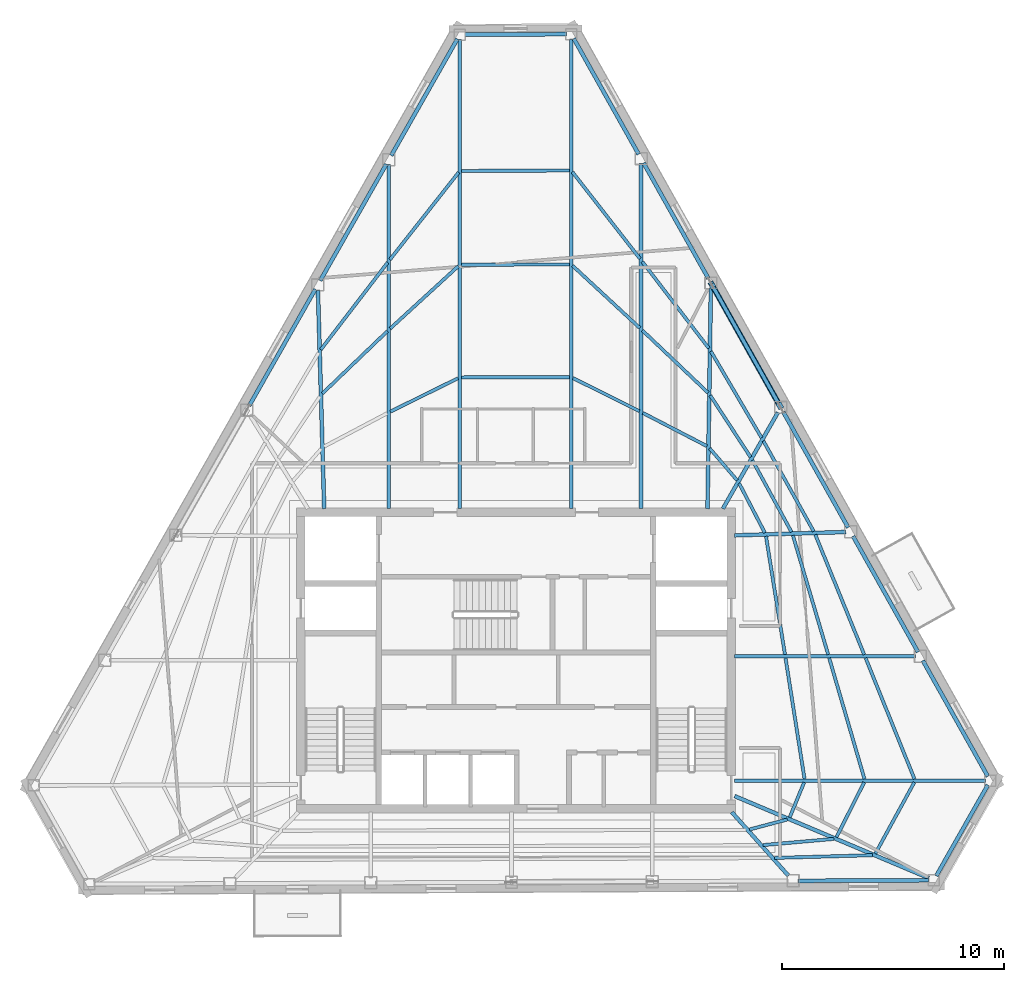
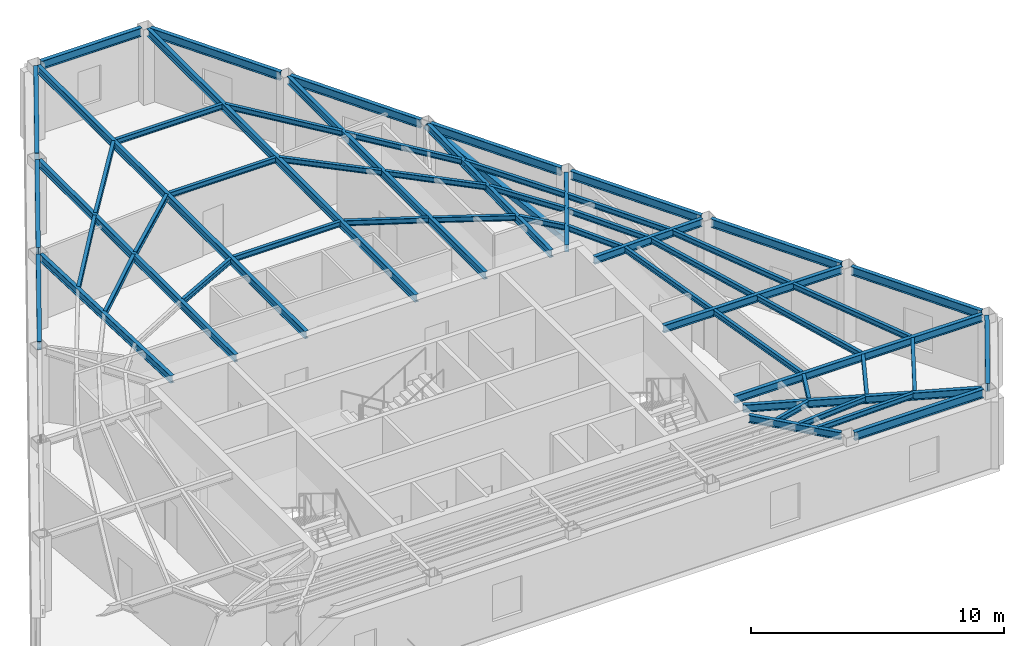
# One storey, part 2 of 9: 56 beams, 1 member.
"""IFC4 building model written with IfcOpenShell, lengths in metres."""

from ifc_helpers import new_model, si_unit, direction, frame, origin, origin_2d, place, context, subcontext, project, spatial, hollow_rectangle, i_section, extrude, material, material_profile, profile_set, type_object, element, save


model = new_model("IFC4")

# Units and contexts
model_context = context("Model", 3, precision=1e-05, world=origin(), true_north=direction((0.0, 1.0)))
body_context = subcontext(model_context, "Body", "Model", "MODEL_VIEW")
ifc_project = project(units=[si_unit("LENGTHUNIT", "METRE"), si_unit("AREAUNIT", "SQUARE_METRE"), si_unit("VOLUMEUNIT", "CUBIC_METRE"), si_unit("PLANEANGLEUNIT", "RADIAN"), si_unit("MASSUNIT", "GRAM", prefix="KILO")], contexts=[model_context])

# Site, building, storey
site_placement = place(None, origin())
site = spatial("IfcSite", under=ifc_project, at=site_placement, CompositionType="ELEMENT")
building_placement = place(site_placement, origin())
building = spatial("IfcBuilding", under=site, at=building_placement, Name="Kavelnor Concourse Tower", CompositionType="ELEMENT")
storey_placement = place(building_placement, frame((0.0, 0.0, 301.10009765625)))
storey = spatial("IfcBuildingStorey", under=building, at=storey_placement, Name="L76", CompositionType="ELEMENT", Elevation=301.10009765625)

# Beams
ifc_material = material(Name="Steel Grade 350", Category="steel")
ifc_material_profile_1 = material_profile(ifc_material, i_section(OverallWidth=0.14599609375, OverallDepth=0.256103515625, WebThickness=0.00634765625, FlangeThickness=0.010986328125, at=origin_2d()), Name="250UB37")
ifc_profile_set_1 = profile_set([ifc_material_profile_1], Name="Steel Grade 350")
beam_type_1 = type_object("IfcBeamType", Name="BM-JOIST-250", PredefinedType="JOIST", material=ifc_profile_set_1)
beam_1_placement = place(storey_placement, frame((48.530029296875, 8.46728515625, 3.5068359375), z_axis=(0.966888041045, 0.255200932766, 0.0), x_axis=(-0.255200932766, 0.966888041045, 0.0)))
element("IfcBeam", 1, at=beam_1_placement, inside=storey, type_object=beam_type_1, Name="L76 Secondary Composite Joist 07-1", PredefinedType="JOIST", context=body_context, shape_type="SweptSolid", body=[
    extrude(i_section(OverallWidth=0.14599609375, OverallDepth=0.256103515625, WebThickness=0.00634765625, FlangeThickness=0.010986328125, at=origin_2d()), origin(), (0.0, 0.0, 1.0), 1.76611328125),
])
beam_2_placement = place(storey_placement, frame((49.146484375, 7.7646484375, 3.5068359375), z_axis=(0.99620677414, 0.087017602575, 0.0), x_axis=(-0.087017602575, 0.99620677414, 0.0)))
element("IfcBeam", 2, at=beam_2_placement, inside=storey, type_object=beam_type_1, Name="L76 Secondary Composite Joist 07-2", PredefinedType="JOIST", context=body_context, shape_type="SweptSolid", body=[
    extrude(i_section(OverallWidth=0.14599609375, OverallDepth=0.256103515625, WebThickness=0.00634765625, FlangeThickness=0.010986328125, at=origin_2d()), origin(), (0.0, 0.0, 1.0), 3.2041015625),
])
beam_3_placement = place(storey_placement, frame((49.658447265625, 7.185791015625, 3.5068359375), z_axis=(0.999619455901, 0.027585202281, 0.0), x_axis=(-0.027585202281, 0.999619455901, 0.0)))
element("IfcBeam", 3, at=beam_3_placement, inside=storey, type_object=beam_type_1, Name="L76 Secondary Composite Joist 07-3", PredefinedType="JOIST", context=body_context, shape_type="SweptSolid", body=[
    extrude(i_section(OverallWidth=0.14599609375, OverallDepth=0.256103515625, WebThickness=0.00634765625, FlangeThickness=0.010986328125, at=origin_2d()), origin(), (0.0, 0.0, 1.0), 4.43408203125),
])
beam_4_placement = place(storey_placement, frame((50.34814453125, 9.0146484375, 3.5068359375), z_axis=(0.380649039467, 0.924719583848, 0.0), x_axis=(-0.924719583848, 0.380649039467, 0.0)))
element("IfcBeam", 4, at=beam_4_placement, inside=storey, type_object=beam_type_1, Name="L76 Secondary Composite Joist 08-1", PredefinedType="JOIST", context=body_context, shape_type="SweptSolid", body=[
    extrude(i_section(OverallWidth=0.14599609375, OverallDepth=0.256103515625, WebThickness=0.00634765625, FlangeThickness=0.010986328125, at=origin_2d()), origin(), (0.0, 0.0, 1.0), 1.7060546875),
])
beam_5_placement = place(storey_placement, frame((52.45703125, 8.123779296875, 3.5068359375), z_axis=(0.451580375632, 0.89223044352, 0.0), x_axis=(-0.89223044352, 0.451580375632, 0.0)))
element("IfcBeam", 5, at=beam_5_placement, inside=storey, type_object=beam_type_1, Name="L76 Secondary Composite Joist 08-2", PredefinedType="JOIST", context=body_context, shape_type="SweptSolid", body=[
    extrude(i_section(OverallWidth=0.14599609375, OverallDepth=0.256103515625, WebThickness=0.00634765625, FlangeThickness=0.010986328125, at=origin_2d()), origin(), (0.0, 0.0, 1.0), 2.769775390625),
])
beam_6_placement = place(storey_placement, frame((54.212158203125, 7.38232421875, 3.5068359375), z_axis=(0.479603873578, 0.87748511352, 0.0), x_axis=(-0.87748511352, 0.479603873578, 0.0)))
element("IfcBeam", 6, at=beam_6_placement, inside=storey, type_object=beam_type_1, Name="L76 Secondary Composite Joist 08-3", PredefinedType="JOIST", context=body_context, shape_type="SweptSolid", body=[
    extrude(i_section(OverallWidth=0.14599609375, OverallDepth=0.256103515625, WebThickness=0.00634765625, FlangeThickness=0.010986328125, at=origin_2d()), origin(), (0.0, 0.0, 1.0), 3.66259765625),
])
beam_7_placement = place(storey_placement, frame((51.01611328125, 10.7490234375, 3.5068359375), z_axis=(-0.155267436009, 0.987872473205, 0.0), x_axis=(-0.987872473205, -0.155267436009, 0.0)))
element("IfcBeam", 7, at=beam_7_placement, inside=storey, type_object=beam_type_1, Name="L76 Secondary Composite Joist 09-1", PredefinedType="JOIST", context=body_context, shape_type="SweptSolid", body=[
    extrude(i_section(OverallWidth=0.14599609375, OverallDepth=0.256103515625, WebThickness=0.00634765625, FlangeThickness=0.010986328125, at=origin_2d()), origin(), (0.0, 0.0, 1.0), 5.51904296875),
])
beam_8_placement = place(storey_placement, frame((53.7216796875, 10.746826171875, 3.5068359375), z_axis=(-0.280156674417, 0.959954289422, 0.0), x_axis=(-0.959954289422, -0.280156674417, 0.0)))
element("IfcBeam", 8, at=beam_8_placement, inside=storey, type_object=beam_type_1, Name="L76 Secondary Composite Joist 09-2", PredefinedType="JOIST", context=body_context, shape_type="SweptSolid", body=[
    extrude(i_section(OverallWidth=0.14599609375, OverallDepth=0.256103515625, WebThickness=0.00634765625, FlangeThickness=0.010986328125, at=origin_2d()), origin(), (0.0, 0.0, 1.0), 5.684326171875),
])
beam_9_placement = place(storey_placement, frame((55.977294921875, 10.744140625, 3.5068359375), z_axis=(-0.374632288588, 0.927173472629, 0.0), x_axis=(-0.927173472629, -0.374632288588, 0.0)))
element("IfcBeam", 9, at=beam_9_placement, inside=storey, type_object=beam_type_1, Name="L76 Secondary Composite Joist 09-3", PredefinedType="JOIST", context=body_context, shape_type="SweptSolid", body=[
    extrude(i_section(OverallWidth=0.14599609375, OverallDepth=0.256103515625, WebThickness=0.00634765625, FlangeThickness=0.010986328125, at=origin_2d()), origin(), (0.0, 0.0, 1.0), 5.89111328125),
])
beam_10_placement = place(storey_placement, frame((50.133544921875, 16.36328125, 3.5068359375), z_axis=(-0.158476773918, 0.987362705458, 0.0), x_axis=(-0.987362705458, -0.158476773918, 0.0)))
element("IfcBeam", 10, at=beam_10_placement, inside=storey, type_object=beam_type_1, Name="L76 Secondary Composite Joist 10-1", PredefinedType="JOIST", context=body_context, shape_type="SweptSolid", body=[
    extrude(i_section(OverallWidth=0.14599609375, OverallDepth=0.256103515625, WebThickness=0.00634765625, FlangeThickness=0.010986328125, at=origin_2d()), origin(), (0.0, 0.0, 1.0), 5.404296875),
])
beam_11_placement = place(storey_placement, frame((52.0830078125, 16.36083984375, 3.5068359375), z_axis=(-0.283851154345, 0.958868354977, 0.0), x_axis=(-0.958868354977, -0.283851154345, 0.0)))
element("IfcBeam", 11, at=beam_11_placement, inside=storey, type_object=beam_type_1, Name="L76 Secondary Composite Joist 10-2", PredefinedType="JOIST", context=body_context, shape_type="SweptSolid", body=[
    extrude(i_section(OverallWidth=0.14599609375, OverallDepth=0.256103515625, WebThickness=0.00634765625, FlangeThickness=0.010986328125, at=origin_2d()), origin(), (0.0, 0.0, 1.0), 5.60791015625),
])
beam_12_placement = place(storey_placement, frame((53.70849609375, 16.358154296875, 3.5068359375), z_axis=(-0.377525066955, 0.925999364914, 0.0), x_axis=(-0.925999364914, -0.377525066955, 0.0)))
element("IfcBeam", 12, at=beam_12_placement, inside=storey, type_object=beam_type_1, Name="L76 Secondary Composite Joist 10-3", PredefinedType="JOIST", context=body_context, shape_type="SweptSolid", body=[
    extrude(i_section(OverallWidth=0.14599609375, OverallDepth=0.256103515625, WebThickness=0.00634765625, FlangeThickness=0.010986328125, at=origin_2d()), origin(), (0.0, 0.0, 1.0), 5.845458984375),
])
beam_13_placement = place(storey_placement, frame((49.226318359375, 21.852783203125, 3.5068359375), z_axis=(-0.460965041793, 0.887418294968, 0.0), x_axis=(-0.887418294968, -0.460965041793, 0.0)))
element("IfcBeam", 13, at=beam_13_placement, inside=storey, type_object=beam_type_1, Name="L76 Secondary Composite Joist 11-1", PredefinedType="JOIST", context=body_context, shape_type="SweptSolid", body=[
    extrude(i_section(OverallWidth=0.14599609375, OverallDepth=0.256103515625, WebThickness=0.00634765625, FlangeThickness=0.010986328125, at=origin_2d()), origin(), (0.0, 0.0, 1.0), 2.518310546875),
])
beam_14_placement = place(storey_placement, frame((50.4287109375, 21.888671875, 3.5068359375), z_axis=(-0.478472084606, 0.878102764062, 0.0), x_axis=(-0.878102764062, -0.478472084606, 0.0)))
element("IfcBeam", 14, at=beam_14_placement, inside=storey, type_object=beam_type_1, Name="L76 Secondary Composite Joist 11-2", PredefinedType="JOIST", context=body_context, shape_type="SweptSolid", body=[
    extrude(i_section(OverallWidth=0.14599609375, OverallDepth=0.256103515625, WebThickness=0.00634765625, FlangeThickness=0.010986328125, at=origin_2d()), origin(), (0.0, 0.0, 1.0), 3.691162109375),
])
beam_15_placement = place(storey_placement, frame((51.430908203125, 21.918701171875, 3.5068359375), z_axis=(-0.486388606966, 0.873742595399, 0.0), x_axis=(-0.873742595399, -0.486388606966, 0.0)))
element("IfcBeam", 15, at=beam_15_placement, inside=storey, type_object=beam_type_1, Name="L76 Secondary Composite Joist 11-3", PredefinedType="JOIST", context=body_context, shape_type="SweptSolid", body=[
    extrude(i_section(OverallWidth=0.14599609375, OverallDepth=0.256103515625, WebThickness=0.00634765625, FlangeThickness=0.010986328125, at=origin_2d()), origin(), (0.0, 0.0, 1.0), 4.669189453125),
])
beam_16_placement = place(storey_placement, frame((47.97412109375, 24.22265625, 3.5068359375), z_axis=(-0.651055349882, 0.759030257229, 0.0), x_axis=(-0.759030257229, -0.651055349882, 0.0)))
element("IfcBeam", 16, at=beam_16_placement, inside=storey, type_object=beam_type_1, Name="L76 Secondary Composite Joist 12-1", PredefinedType="JOIST", context=body_context, shape_type="SweptSolid", body=[
    extrude(i_section(OverallWidth=0.14599609375, OverallDepth=0.256103515625, WebThickness=0.00634765625, FlangeThickness=0.010986328125, at=origin_2d()), origin(), (0.0, 0.0, 1.0), 1.90380859375),
])
beam_17_placement = place(storey_placement, frame((48.57861328125, 25.270751953125, 3.5068359375), z_axis=(-0.546671160217, 0.837347384654, 0.0), x_axis=(-0.837347384654, -0.546671160217, 0.0)))
element("IfcBeam", 17, at=beam_17_placement, inside=storey, type_object=beam_type_1, Name="L76 Secondary Composite Joist 12-2", PredefinedType="JOIST", context=body_context, shape_type="SweptSolid", body=[
    extrude(i_section(OverallWidth=0.14599609375, OverallDepth=0.256103515625, WebThickness=0.00634765625, FlangeThickness=0.010986328125, at=origin_2d()), origin(), (0.0, 0.0, 1.0), 3.32275390625),
])
beam_18_placement = place(storey_placement, frame((49.07861328125, 26.140625, 3.5068359375), z_axis=(-0.505932724488, 0.862572940853, 0.0), x_axis=(-0.862572940853, -0.505932724488, 0.0)))
element("IfcBeam", 18, at=beam_18_placement, inside=storey, type_object=beam_type_1, Name="L76 Secondary Composite Joist 12-3", PredefinedType="JOIST", context=body_context, shape_type="SweptSolid", body=[
    extrude(i_section(OverallWidth=0.14599609375, OverallDepth=0.256103515625, WebThickness=0.00634765625, FlangeThickness=0.010986328125, at=origin_2d()), origin(), (0.0, 0.0, 1.0), 4.52490234375),
])
beam_19_placement = place(storey_placement, frame((46.6083984375, 25.767578125, 3.5068359375), z_axis=(-0.888165959512, 0.459522826816, 0.0), x_axis=(-0.459522826816, -0.888165959512, 0.0)))
element("IfcBeam", 19, at=beam_19_placement, inside=storey, type_object=beam_type_1, Name="L76 Secondary Composite Joist 13-1", PredefinedType="JOIST", context=body_context, shape_type="SweptSolid", body=[
    extrude(i_section(OverallWidth=0.14599609375, OverallDepth=0.256103515625, WebThickness=0.00634765625, FlangeThickness=0.010986328125, at=origin_2d()), origin(), (0.0, 0.0, 1.0), 3.25732421875),
])
beam_20_placement = place(storey_placement, frame((46.657958984375, 28.177978515625, 3.5068359375), z_axis=(-0.725226701684, 0.688510153276, 0.0), x_axis=(-0.688510153276, -0.725226701684, 0.0)))
element("IfcBeam", 20, at=beam_20_placement, inside=storey, type_object=beam_type_1, Name="L76 Secondary Composite Joist 13-2", PredefinedType="JOIST", context=body_context, shape_type="SweptSolid", body=[
    extrude(i_section(OverallWidth=0.14599609375, OverallDepth=0.256103515625, WebThickness=0.00634765625, FlangeThickness=0.010986328125, at=origin_2d()), origin(), (0.0, 0.0, 1.0), 4.075927734375),
])
beam_21_placement = place(storey_placement, frame((46.69775390625, 30.179443359375, 3.5068359375), z_axis=(-0.609208390475, 0.793010174572, 0.0), x_axis=(-0.793010174572, -0.609208390475, 0.0)))
element("IfcBeam", 21, at=beam_21_placement, inside=storey, type_object=beam_type_1, Name="L76 Secondary Composite Joist 13-3", PredefinedType="JOIST", context=body_context, shape_type="SweptSolid", body=[
    extrude(i_section(OverallWidth=0.14599609375, OverallDepth=0.256103515625, WebThickness=0.00634765625, FlangeThickness=0.010986328125, at=origin_2d()), origin(), (0.0, 0.0, 1.0), 4.933349609375),
])
beam_22_placement = place(storey_placement, frame((43.569091796875, 27.338623046875, 3.5068359375), z_axis=(-0.894819534161, 0.446428047153, 0.0), x_axis=(-0.446428047153, -0.894819534161, 0.0)))
element("IfcBeam", 22, at=beam_22_placement, inside=storey, type_object=beam_type_1, Name="L76 Secondary Composite Joist 14-1", PredefinedType="JOIST", context=body_context, shape_type="SweptSolid", body=[
    extrude(i_section(OverallWidth=0.14599609375, OverallDepth=0.256103515625, WebThickness=0.00634765625, FlangeThickness=0.010986328125, at=origin_2d()), origin(), (0.0, 0.0, 1.0), 3.357177734375),
])
beam_23_placement = place(storey_placement, frame((43.582275390625, 31.0966796875, 3.5068359375), z_axis=(-0.733540231193, 0.679646032301, 0.0), x_axis=(-0.679646032301, -0.733540231193, 0.0)))
element("IfcBeam", 23, at=beam_23_placement, inside=storey, type_object=beam_type_1, Name="L76 Secondary Composite Joist 14-2", PredefinedType="JOIST", context=body_context, shape_type="SweptSolid", body=[
    extrude(i_section(OverallWidth=0.14599609375, OverallDepth=0.256103515625, WebThickness=0.00634765625, FlangeThickness=0.010986328125, at=origin_2d()), origin(), (0.0, 0.0, 1.0), 4.13134765625),
])
beam_24_placement = place(storey_placement, frame((43.592041015625, 34.22119140625, 3.5068359375), z_axis=(-0.614785166035, 0.788694617469, 0.0), x_axis=(-0.788694617469, -0.614785166035, 0.0)))
element("IfcBeam", 24, at=beam_24_placement, inside=storey, type_object=beam_type_1, Name="L76 Secondary Composite Joist 14-3", PredefinedType="JOIST", context=body_context, shape_type="SweptSolid", body=[
    extrude(i_section(OverallWidth=0.14599609375, OverallDepth=0.256103515625, WebThickness=0.00634765625, FlangeThickness=0.010986328125, at=origin_2d()), origin(), (0.0, 0.0, 1.0), 4.961181640625),
])
for number, where, z_axis, x_axis, name in (
    (25, (40.40966796875, 28.873779296875, 3.5068359375), (-0.999999082247, -0.001354808331, 0.0), (0.001354808331, -0.999999082247, 0.0), "L76 Secondary Composite Joist 15-1"),
    (26, (40.40966796875, 33.9599609375, 3.5068359375), (-0.999996977341, -0.002458721054, 0.0), (0.002458721054, -0.999996977341, 0.0), "L76 Secondary Composite Joist 15-2"),
    (27, (40.40966796875, 38.198486328125, 3.5068359375), (-0.999994006324, -0.003462270382, 0.0), (0.003462270382, -0.999994006324, 0.0), "L76 Secondary Composite Joist 15-3"),
):
    element("IfcBeam", number, at=place(storey_placement, frame(where, z_axis=z_axis, x_axis=x_axis)), inside=storey, type_object=beam_type_1, Name=name, PredefinedType="JOIST", context=body_context, shape_type="SweptSolid", body=[
        extrude(i_section(OverallWidth=0.14599609375, OverallDepth=0.256103515625, WebThickness=0.00634765625, FlangeThickness=0.010986328125, at=origin_2d()), origin(), (0.0, 0.0, 1.0), 4.865478515625),
    ])
beam_25_placement = place(storey_placement, frame((35.388916015625, 28.8310546875, 3.5068359375), z_axis=(-0.896792244903, -0.442451883805, 0.0), x_axis=(0.442451883805, -0.896792244903, 0.0)))
element("IfcBeam", 28, at=beam_25_placement, inside=storey, type_object=beam_type_1, Name="L76 Secondary Composite Joist 16-1", PredefinedType="JOIST", context=body_context, shape_type="SweptSolid", body=[
    extrude(i_section(OverallWidth=0.14599609375, OverallDepth=0.256103515625, WebThickness=0.00634765625, FlangeThickness=0.010986328125, at=origin_2d()), origin(), (0.0, 0.0, 1.0), 3.408935546875),
])
beam_26_placement = place(storey_placement, frame((35.40185546875, 33.892333984375, 3.5068359375), z_axis=(-0.737289843665, -0.675576558525, 0.0), x_axis=(0.675576558525, -0.737289843665, 0.0)))
element("IfcBeam", 29, at=beam_26_placement, inside=storey, type_object=beam_type_1, Name="L76 Secondary Composite Joist 16-2", PredefinedType="JOIST", context=body_context, shape_type="SweptSolid", body=[
    extrude(i_section(OverallWidth=0.14599609375, OverallDepth=0.256103515625, WebThickness=0.00634765625, FlangeThickness=0.010986328125, at=origin_2d()), origin(), (0.0, 0.0, 1.0), 4.181640625),
])
beam_27_placement = place(storey_placement, frame((35.41162109375, 38.1171875, 3.5068359375), z_axis=(-0.619023399609, -0.785372542642, 0.0), x_axis=(0.785372542642, -0.619023399609, 0.0)))
element("IfcBeam", 30, at=beam_27_placement, inside=storey, type_object=beam_type_1, Name="L76 Secondary Composite Joist 16-3", PredefinedType="JOIST", context=body_context, shape_type="SweptSolid", body=[
    extrude(i_section(OverallWidth=0.14599609375, OverallDepth=0.256103515625, WebThickness=0.00634765625, FlangeThickness=0.010986328125, at=origin_2d()), origin(), (0.0, 0.0, 1.0), 5.011962890625),
])
beam_28_placement = place(storey_placement, frame((32.19921875, 30.955322265625, 3.5068359375), z_axis=(-0.721770079494, -0.692132900784, 0.0), x_axis=(0.692132900784, -0.721770079494, 0.0)))
element("IfcBeam", 31, at=beam_28_placement, inside=storey, type_object=beam_type_1, Name="L76 Secondary Composite Joist 17-2", PredefinedType="JOIST", context=body_context, shape_type="SweptSolid", body=[
    extrude(i_section(OverallWidth=0.14599609375, OverallDepth=0.256103515625, WebThickness=0.00634765625, FlangeThickness=0.010986328125, at=origin_2d()), origin(), (0.0, 0.0, 1.0), 4.07763671875),
])
beam_29_placement = place(storey_placement, frame((32.20849609375, 34.051513671875, 3.5068359375), z_axis=(-0.608691963155, -0.793406638484, 0.0), x_axis=(0.793406638484, -0.608691963155, 0.0)))
element("IfcBeam", 32, at=beam_29_placement, inside=storey, type_object=beam_type_1, Name="L76 Secondary Composite Joist 17-3", PredefinedType="JOIST", context=body_context, shape_type="SweptSolid", body=[
    extrude(i_section(OverallWidth=0.14599609375, OverallDepth=0.256103515625, WebThickness=0.00634765625, FlangeThickness=0.010986328125, at=origin_2d()), origin(), (0.0, 0.0, 1.0), 4.958984375),
])
ifc_material_profile_2 = material_profile(ifc_material, i_section(OverallWidth=0.172119140625, OverallDepth=0.35888671875, WebThickness=0.008056640625, FlangeThickness=0.012939453125, at=origin_2d()), Name="360UB56")
ifc_profile_set_2 = profile_set([ifc_material_profile_2], Name="Steel Grade 350")
beam_type_2 = type_object("IfcBeamType", Name="BM-PRIMARY-360", PredefinedType="BEAM", material=ifc_profile_set_2)
beam_30_placement = place(storey_placement, frame((35.46240234375, 22.93994140625, 3.455322265625), z_axis=(0.0, 1.0, 0.0), x_axis=(-1.0, 0.0, 0.0)))
element("IfcBeam", 33, at=beam_30_placement, inside=storey, type_object=beam_type_2, Name="L76 Primary Floor Girder F0-B0", PredefinedType="BEAM", context=body_context, shape_type="SweptSolid", body=[
    extrude(i_section(OverallWidth=0.172119140625, OverallDepth=0.35888671875, WebThickness=0.008056640625, FlangeThickness=0.012939453125, at=origin_2d()), origin(), (0.0, 0.0, 1.0), 21.168701171875),
])
beam_31_placement = place(storey_placement, frame((32.25830078125, 22.93994140625, 3.455322265625), z_axis=(0.0, 1.0, 0.0), x_axis=(-1.0, 0.0, 0.0)))
element("IfcBeam", 34, at=beam_31_placement, inside=storey, type_object=beam_type_2, Name="L76 Primary Floor Girder F0-B1", PredefinedType="BEAM", context=body_context, shape_type="SweptSolid", body=[
    extrude(i_section(OverallWidth=0.172119140625, OverallDepth=0.35888671875, WebThickness=0.008056640625, FlangeThickness=0.012939453125, at=origin_2d()), origin(), (0.0, 0.0, 1.0), 15.523193359375),
])
beam_32_placement = place(storey_placement, frame((29.344482421875, 22.93994140625, 3.455322265625), z_axis=(-0.028709304144, 0.999587802975, 0.0), x_axis=(-0.999587802975, -0.028709304144, 0.0)))
element("IfcBeam", 35, at=beam_32_placement, inside=storey, type_object=beam_type_2, Name="L76 Primary Floor Girder F0-B2", PredefinedType="BEAM", context=body_context, shape_type="SweptSolid", body=[
    extrude(i_section(OverallWidth=0.172119140625, OverallDepth=0.35888671875, WebThickness=0.008056640625, FlangeThickness=0.012939453125, at=origin_2d()), origin(), (0.0, 0.0, 1.0), 9.881591796875),
])
beam_33_placement = place(storey_placement, frame((47.734619140625, 9.25, 3.455322265625), z_axis=(0.665364370294, -0.746518757127, 0.0), x_axis=(0.746518757127, 0.665364370294, 0.0)))
element("IfcBeam", 36, at=beam_33_placement, inside=storey, type_object=beam_type_2, Name="L76 Primary Floor Girder F1-B5", PredefinedType="BEAM", context=body_context, shape_type="SweptSolid", body=[
    extrude(i_section(OverallWidth=0.172119140625, OverallDepth=0.35888671875, WebThickness=0.008056640625, FlangeThickness=0.012939453125, at=origin_2d()), origin(), (0.0, 0.0, 1.0), 3.8447265625),
])
beam_34_placement = place(storey_placement, frame((47.86328125, 9.97509765625, 3.455322265625), z_axis=(0.921224217022, -0.38903205777, 0.0), x_axis=(0.38903205777, 0.921224217022, 0.0)))
element("IfcBeam", 37, at=beam_34_placement, inside=storey, type_object=beam_type_2, Name="L76 Primary Floor Girder F1-B6", PredefinedType="BEAM", context=body_context, shape_type="SweptSolid", body=[
    extrude(i_section(OverallWidth=0.172119140625, OverallDepth=0.35888671875, WebThickness=0.008056640625, FlangeThickness=0.012939453125, at=origin_2d()), origin(), (0.0, 0.0, 1.0), 9.512451171875),
])
beam_35_placement = place(storey_placement, frame((47.860107421875, 10.668212890625, 3.455322265625), z_axis=(1.0, 0.0, 0.0), x_axis=(0.0, 1.0, 0.0)))
element("IfcBeam", 38, at=beam_35_placement, inside=storey, type_object=beam_type_2, Name="L76 Primary Floor Girder F2-B0", PredefinedType="BEAM", context=body_context, shape_type="SweptSolid", body=[
    extrude(i_section(OverallWidth=0.172119140625, OverallDepth=0.35888671875, WebThickness=0.008056640625, FlangeThickness=0.012939453125, at=origin_2d()), origin(), (0.0, 0.0, 1.0), 11.316650390625),
])
beam_36_placement = place(storey_placement, frame((47.860107421875, 16.2822265625, 3.455322265625), z_axis=(1.0, 0.0, 0.0), x_axis=(0.0, 1.0, 0.0)))
element("IfcBeam", 39, at=beam_36_placement, inside=storey, type_object=beam_type_2, Name="L76 Primary Floor Girder F2-B1", PredefinedType="BEAM", context=body_context, shape_type="SweptSolid", body=[
    extrude(i_section(OverallWidth=0.172119140625, OverallDepth=0.35888671875, WebThickness=0.008056640625, FlangeThickness=0.012939453125, at=origin_2d()), origin(), (0.0, 0.0, 1.0), 8.165771484375),
])
beam_37_placement = place(storey_placement, frame((47.860107421875, 21.737548828125, 3.455322265625), z_axis=(0.999540375222, 0.030315644504, 0.0), x_axis=(-0.030315644504, 0.999540375222, 0.0)))
element("IfcBeam", 40, at=beam_37_placement, inside=storey, type_object=beam_type_2, Name="L76 Primary Floor Girder F2-B2", PredefinedType="BEAM", context=body_context, shape_type="SweptSolid", body=[
    extrude(i_section(OverallWidth=0.172119140625, OverallDepth=0.35888671875, WebThickness=0.008056640625, FlangeThickness=0.012939453125, at=origin_2d()), origin(), (0.0, 0.0, 1.0), 5.01708984375),
])
beam_38_placement = place(storey_placement, frame((47.33251953125, 22.9453125, 3.455322265625), z_axis=(0.49655431389, 0.868005652837, 0.0), x_axis=(-0.868005652837, 0.49655431389, 0.0)))
element("IfcBeam", 41, at=beam_38_placement, inside=storey, type_object=beam_type_2, Name="L76 Primary Floor Girder F2-B3", PredefinedType="BEAM", context=body_context, shape_type="SweptSolid", body=[
    extrude(i_section(OverallWidth=0.172119140625, OverallDepth=0.35888671875, WebThickness=0.008056640625, FlangeThickness=0.012939453125, at=origin_2d()), origin(), (0.0, 0.0, 1.0), 4.999755859375),
])
beam_39_placement = place(storey_placement, frame((46.638916015625, 22.93994140625, 3.455322265625), z_axis=(0.015164249051, 0.999885016165, 0.0), x_axis=(-0.999885016165, 0.015164249051, 0.0)))
element("IfcBeam", 42, at=beam_39_placement, inside=storey, type_object=beam_type_2, Name="L76 Primary Floor Girder F2-B4", PredefinedType="BEAM", context=body_context, shape_type="SweptSolid", body=[
    extrude(i_section(OverallWidth=0.172119140625, OverallDepth=0.35888671875, WebThickness=0.008056640625, FlangeThickness=0.012939453125, at=origin_2d()), origin(), (0.0, 0.0, 1.0), 9.9658203125),
])
beam_40_placement = place(storey_placement, frame((43.642578125, 22.93994140625, 3.455322265625), z_axis=(0.0, 1.0, 0.0), x_axis=(-1.0, 0.0, 0.0)))
element("IfcBeam", 43, at=beam_40_placement, inside=storey, type_object=beam_type_2, Name="L76 Primary Floor Girder F2-B5", PredefinedType="BEAM", context=body_context, shape_type="SweptSolid", body=[
    extrude(i_section(OverallWidth=0.172119140625, OverallDepth=0.35888671875, WebThickness=0.008056640625, FlangeThickness=0.012939453125, at=origin_2d()), origin(), (0.0, 0.0, 1.0), 15.57861328125),
])
beam_41_placement = place(storey_placement, frame((40.49169921875, 22.93994140625, 3.455322265625), z_axis=(0.0, 1.0, 0.0), x_axis=(-1.0, 0.0, 0.0)))
element("IfcBeam", 44, at=beam_41_placement, inside=storey, type_object=beam_type_2, Name="L76 Primary Floor Girder F2-B6", PredefinedType="BEAM", context=body_context, shape_type="SweptSolid", body=[
    extrude(i_section(OverallWidth=0.172119140625, OverallDepth=0.35888671875, WebThickness=0.008056640625, FlangeThickness=0.012939453125, at=origin_2d()), origin(), (0.0, 0.0, 1.0), 21.19287109375),
])
ifc_material_profile_3 = material_profile(ifc_material, i_section(OverallWidth=0.177978515625, OverallDepth=0.406005859375, WebThickness=0.0078125, FlangeThickness=0.0126953125, at=origin_2d()), Name="410UB59")
ifc_profile_set_3 = profile_set([ifc_material_profile_3], Name="Steel Grade 350")
beam_type_3 = type_object("IfcBeamType", Name="BM-SPANDREL-Z4", PredefinedType="SPANDREL", material=ifc_profile_set_3)
for number, where, z_axis, x_axis, name in (
    (45, (35.351318359375, 44.133056640625, 3.431884765625), (-0.49358651922, -0.869696698881, 0.0), (0.869696698881, -0.49358651922, 0.0), "L76 Perimeter Tube Spandrel Beam F0-B0"),
    (46, (32.147216796875, 38.4873046875, 3.431884765625), (-0.493555952136, -0.869714046173, 0.0), (0.869714046173, -0.493555952136, 0.0), "L76 Perimeter Tube Spandrel Beam F0-B1"),
):
    element("IfcBeam", number, at=place(storey_placement, frame(where, z_axis=z_axis, x_axis=x_axis)), inside=storey, type_object=beam_type_3, Name=name, PredefinedType="SPANDREL", context=body_context, shape_type="SweptSolid", body=[
        extrude(i_section(OverallWidth=0.177978515625, OverallDepth=0.406005859375, WebThickness=0.0078125, FlangeThickness=0.0126953125, at=origin_2d()), origin(), (0.0, 0.0, 1.0), 6.041259765625),
    ])
beam_42_placement = place(storey_placement, frame((28.943359375, 32.841796875, 3.431884765625), z_axis=(-0.493569172248, -0.86970654373, 0.0), x_axis=(0.86970654373, -0.493569172248, 0.0)))
element("IfcBeam", 47, at=beam_42_placement, inside=storey, type_object=beam_type_3, Name="L76 Perimeter Tube Spandrel Beam F0-B2", PredefinedType="SPANDREL", context=body_context, shape_type="SweptSolid", body=[
    extrude(i_section(OverallWidth=0.177978515625, OverallDepth=0.406005859375, WebThickness=0.0078125, FlangeThickness=0.0126953125, at=origin_2d()), origin(), (0.0, 0.0, 1.0), 6.04150390625),
])
beam_43_placement = place(storey_placement, frame((40.2666015625, 44.3515625, 3.431884765625), z_axis=(-0.999988743175, -0.004744841827, 0.0), x_axis=(0.004744841827, -0.999988743175, 0.0)))
element("IfcBeam", 48, at=beam_43_placement, inside=storey, type_object=beam_type_3, Name="L76 Chamfer Facet Spandrel Beam C0", PredefinedType="SPANDREL", context=body_context, shape_type="SweptSolid", body=[
    extrude(i_section(OverallWidth=0.177978515625, OverallDepth=0.406005859375, WebThickness=0.0078125, FlangeThickness=0.0126953125, at=origin_2d()), origin(), (0.0, 0.0, 1.0), 4.579345703125),
])
beam_44_placement = place(storey_placement, frame((50.722900390625, 6.15087890625, 3.431884765625), z_axis=(0.999988684825, 0.004757123304, 0.0), x_axis=(-0.004757123304, 0.999988684825, 0.0)))
element("IfcBeam", 49, at=beam_44_placement, inside=storey, type_object=beam_type_3, Name="L76 Perimeter Tube Spandrel Beam F1-B5", PredefinedType="SPANDREL", context=body_context, shape_type="SweptSolid", body=[
    extrude(i_section(OverallWidth=0.177978515625, OverallDepth=0.406005859375, WebThickness=0.0078125, FlangeThickness=0.0126953125, at=origin_2d()), origin(), (0.0, 0.0, 1.0), 5.90185546875),
])
for number, where, z_axis, x_axis, name in (
    (50, (59.28662109375, 10.8642578125, 3.431884765625), (-0.489432502561, 0.872041183337, 0.0), (-0.872041183337, -0.489432502561, 0.0), "L76 Perimeter Tube Spandrel Beam F2-B0"),
    (51, (56.1357421875, 16.478515625, 3.431884765625), (-0.489432502561, 0.872041183337, 0.0), (-0.872041183337, -0.489432502561, 0.0), "L76 Perimeter Tube Spandrel Beam F2-B1"),
):
    element("IfcBeam", number, at=place(storey_placement, frame(where, z_axis=z_axis, x_axis=x_axis)), inside=storey, type_object=beam_type_3, Name=name, PredefinedType="SPANDREL", context=body_context, shape_type="SweptSolid", body=[
        extrude(i_section(OverallWidth=0.177978515625, OverallDepth=0.406005859375, WebThickness=0.0078125, FlangeThickness=0.0126953125, at=origin_2d()), origin(), (0.0, 0.0, 1.0), 5.98779296875),
    ])
beam_45_placement = place(storey_placement, frame((52.985107421875, 22.092529296875, 3.431884765625), z_axis=(-0.489463507281, 0.872023781235, 0.0), x_axis=(-0.872023781235, -0.489463507281, 0.0)))
element("IfcBeam", 52, at=beam_45_placement, inside=storey, type_object=beam_type_3, Name="L76 Perimeter Tube Spandrel Beam F2-B2", PredefinedType="SPANDREL", context=body_context, shape_type="SweptSolid", body=[
    extrude(i_section(OverallWidth=0.177978515625, OverallDepth=0.406005859375, WebThickness=0.0078125, FlangeThickness=0.0126953125, at=origin_2d()), origin(), (0.0, 0.0, 1.0), 5.988037109375),
])
for number, where, z_axis, x_axis, name in (
    (53, (49.833984375, 27.70654296875, 3.431884765625), (-0.489432502561, 0.872041183337, 0.0), (-0.872041183337, -0.489432502561, 0.0), "L76 Perimeter Tube Spandrel Beam F2-B3"),
    (54, (46.68310546875, 33.32080078125, 3.431884765625), (-0.489401495985, 0.872058585032, 0.0), (-0.872058585032, -0.489401495985, 0.0), "L76 Perimeter Tube Spandrel Beam F2-B4"),
    (55, (43.532470703125, 38.934814453125, 3.431884765625), (-0.489432502561, 0.872041183337, 0.0), (-0.872041183337, -0.489432502561, 0.0), "L76 Perimeter Tube Spandrel Beam F2-B5"),
):
    element("IfcBeam", number, at=place(storey_placement, frame(where, z_axis=z_axis, x_axis=x_axis)), inside=storey, type_object=beam_type_3, Name=name, PredefinedType="SPANDREL", context=body_context, shape_type="SweptSolid", body=[
        extrude(i_section(OverallWidth=0.177978515625, OverallDepth=0.406005859375, WebThickness=0.0078125, FlangeThickness=0.0126953125, at=origin_2d()), origin(), (0.0, 0.0, 1.0), 5.98779296875),
    ])
beam_46_placement = place(storey_placement, frame((56.960693359375, 6.375732421875, 3.431884765625), z_axis=(0.493574793553, 0.869703353546, 0.0), x_axis=(-0.869703353546, 0.493574793553, 0.0)))
element("IfcBeam", 56, at=beam_46_placement, inside=storey, type_object=beam_type_3, Name="L76 Chamfer Facet Spandrel Beam C2", PredefinedType="SPANDREL", context=body_context, shape_type="SweptSolid", body=[
    extrude(i_section(OverallWidth=0.177978515625, OverallDepth=0.406005859375, WebThickness=0.0078125, FlangeThickness=0.0126953125, at=origin_2d()), origin(), (0.0, 0.0, 1.0), 4.71044921875),
])

# Member
ifc_material_profile_4 = material_profile(ifc_material, hollow_rectangle(XDim=0.25, YDim=0.25, WallThickness=0.01611328125, at=origin_2d()), Name="SHS 250x250x16")
ifc_profile_set_4 = profile_set([ifc_material_profile_4], Name="Steel Grade 350")
member_type = type_object("IfcMemberType", Name="MBR-TUBE-DIAG-Z4", PredefinedType="BRACE", material=ifc_profile_set_4)
member_placement = place(storey_placement, frame((49.944091796875, 27.510498046875, 0.219970703125), z_axis=(-0.437953451481, 0.780314552673, 0.446436975645), x_axis=(-0.872040011858, -0.489434589826, 0.0)))
element("IfcMember", 57, at=member_placement, inside=storey, type_object=member_type, Name="L76 Framed-Tube Bracing Diagonal F2-B3", PredefinedType="BRACE", context=body_context, shape_type="SweptSolid", body=[
    extrude(hollow_rectangle(XDim=0.25, YDim=0.25, WallThickness=0.01611328125, at=origin_2d()), origin(), (0.0, 0.0, 1.0), 7.194580078125),
])

save(model, "model.ifc")
